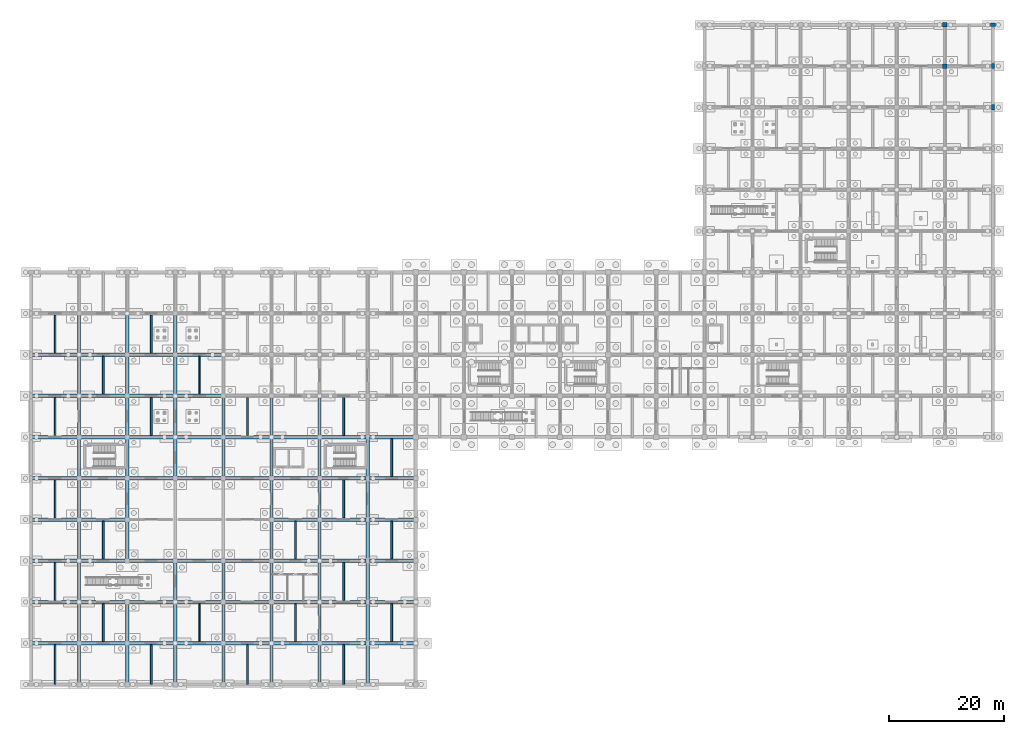
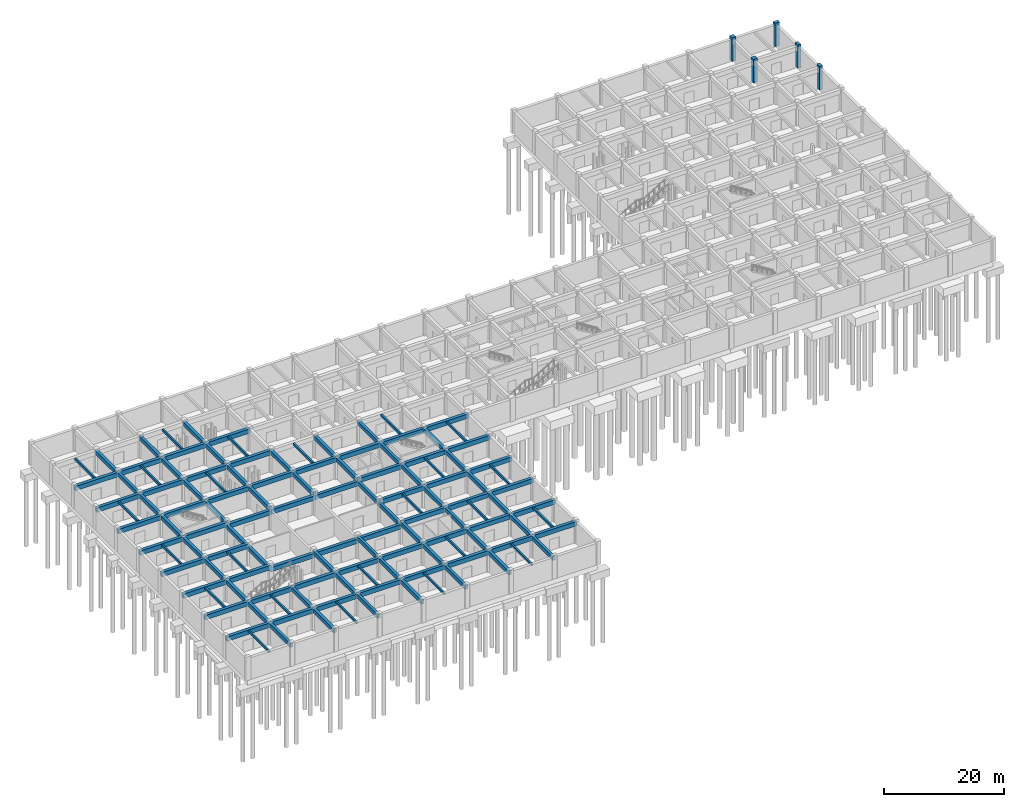
# One storey, part 17 of 38: 126 beams, 5 columns.
"""IFC4 building model written with IfcOpenShell, lengths in metres."""

from ifc_helpers import new_model, si_unit, derived_unit, direction, frame, origin, origin_2d, place, context, subcontext, project, spatial, rectangle, extrude, material, material_profile, profile_set, type_object, element, save


model = new_model("IFC4")

# Units and contexts
model_context = context("Model", 3, precision=1e-05, world=origin(), true_north=direction((0.0, 1.0)))
body_context = subcontext(model_context, "Body", "Model", "MODEL_VIEW")
ifc_project = project(units=[si_unit("LENGTHUNIT", "METRE"), si_unit("AREAUNIT", "SQUARE_METRE"), si_unit("VOLUMEUNIT", "CUBIC_METRE"), si_unit("PLANEANGLEUNIT", "RADIAN"), si_unit("MASSUNIT", "GRAM", prefix="KILO"), derived_unit("THERMALTRANSMITTANCEUNIT", [(si_unit("MASSUNIT", "GRAM", prefix="KILO"), 1), (si_unit("TIMEUNIT", "SECOND"), -3), (si_unit("THERMODYNAMICTEMPERATUREUNIT", "KELVIN"), -1)])], contexts=[model_context])

# Site, building, storey
site_placement = place(None, origin())
site = spatial("IfcSite", under=ifc_project, at=site_placement, CompositionType="ELEMENT")
building_placement = place(site_placement, origin())
building = spatial("IfcBuilding", under=site, at=building_placement, Name="Veldstrom Oceanarium and Marine Research Institute", CompositionType="ELEMENT")
storey_placement = place(building_placement, frame((0.0, 0.0, -9.60009765625)))
storey = spatial("IfcBuildingStorey", under=building, at=storey_placement, Name="B02", CompositionType="ELEMENT", Elevation=-9.60009765625)

# Columns
ifc_material_1 = material(Name="Concrete C50/60", Category="concrete")
ifc_material_profile_1 = material_profile(ifc_material_1, rectangle(XDim=0.800048828125, YDim=0.800048828125, at=origin_2d()), Name="RC-COL-800x800")
ifc_profile_set_1 = profile_set([ifc_material_profile_1], Name="Concrete C50/60")
column_type_1 = type_object("IfcColumnType", Name="STR-COL-C04", PredefinedType="COLUMN", material=ifc_profile_set_1)
for number, where, z_axis, x_axis, name in (
    (1, (159.60009765625, 108.0, 0.0), (0.0, 0.0, 1.0), (1.0, 0.0, 0.0), "Column C04 20/R B02"),
    (2, (159.60009765625, 115.199951171875, 0.0), (0.0, 0.0, 1.0), (1.0, 0.0, 0.0), "Column C04 20/S B02"),
):
    element("IfcColumn", number, at=place(storey_placement, frame(where, z_axis=z_axis, x_axis=x_axis)), inside=storey, type_object=column_type_1, Name=name, PredefinedType="COLUMN", context=body_context, shape_type="SweptSolid", body=[
        extrude(rectangle(XDim=0.800048828125, YDim=0.800048828125, at=origin_2d()), origin(), (0.0, 0.0, 1.0), 4.800048828125),
    ])
ifc_material_2 = material(Name="Concrete C50/60", Category="concrete")
ifc_material_profile_2 = material_profile(ifc_material_2, rectangle(XDim=0.60009765625, YDim=0.89990234375, at=origin_2d()), Name="RC-COL-900x600")
ifc_profile_set_2 = profile_set([ifc_material_profile_2], Name="Concrete C50/60")
column_type_2 = type_object("IfcColumnType", Name="STR-COL-C11", PredefinedType="COLUMN", material=ifc_profile_set_2)
for number, where, z_axis, x_axis, name in (
    (3, (168.0, 100.800048828125, 0.0), (0.0, 0.0, 1.0), (1.0, 0.0, 0.0), "Column C11 21/Q B02"),
    (4, (168.0, 108.0, 0.0), (0.0, 0.0, 1.0), (1.0, 0.0, 0.0), "Column C11 21/R B02"),
    (5, (168.0, 115.199951171875, 0.0), (0.0, 0.0, 1.0), (0.0, 1.0, 0.0), "Column C11 21/S B02"),
):
    element("IfcColumn", number, at=place(storey_placement, frame(where, z_axis=z_axis, x_axis=x_axis)), inside=storey, type_object=column_type_2, Name=name, PredefinedType="COLUMN", context=body_context, shape_type="SweptSolid", body=[
        extrude(rectangle(XDim=0.60009765625, YDim=0.89990234375, at=origin_2d()), origin(), (0.0, 0.0, 1.0), 4.800048828125),
    ])

# Beams
ifc_material_3 = material(Name="Concrete C40/50", Category="concrete")
ifc_material_profile_3 = material_profile(ifc_material_3, rectangle(XDim=0.60009765625, YDim=0.89990234375, at=origin_2d()), Name="RC-BM-600x900")
ifc_profile_set_3 = profile_set([ifc_material_profile_3], Name="Concrete C40/50")
beam_type_1 = type_object("IfcBeamType", Name="STR-BM-B01", PredefinedType="BEAM", material=ifc_profile_set_3)
for number, where, z_axis, x_axis, name in (
    (6, (0.0, 7.199951171875, 3.945068359375), (1.0, 0.0, 0.0), (0.0, 1.0, 0.0), "Primary Beam B01 B02-0001"),
    (7, (0.0, 14.39990234375, 3.945068359375), (1.0, 0.0, 0.0), (0.0, 1.0, 0.0), "Primary Beam B01 B02-0002"),
    (8, (0.0, 21.60009765625, 3.945068359375), (1.0, 0.0, 0.0), (0.0, 1.0, 0.0), "Primary Beam B01 B02-0003"),
    (9, (0.0, 28.800048828125, 3.945068359375), (1.0, 0.0, 0.0), (0.0, 1.0, 0.0), "Primary Beam B01 B02-0004"),
    (10, (0.0, 36.0, 3.945068359375), (1.0, 0.0, 0.0), (0.0, 1.0, 0.0), "Primary Beam B01 B02-0005"),
    (11, (0.0, 43.199951171875, 3.945068359375), (1.0, 0.0, 0.0), (0.0, 1.0, 0.0), "Primary Beam B01 B02-0006"),
    (12, (0.0, 50.39990234375, 3.945068359375), (1.0, 0.0, 0.0), (0.0, 1.0, 0.0), "Primary Beam B01 B02-0007"),
    (13, (0.0, 57.60009765625, 3.945068359375), (1.0, 0.0, 0.0), (0.0, 1.0, 0.0), "Primary Beam B01 B02-0008"),
):
    element("IfcBeam", number, at=place(storey_placement, frame(where, z_axis=z_axis, x_axis=x_axis)), inside=storey, type_object=beam_type_1, Name=name, PredefinedType="BEAM", context=body_context, shape_type="SweptSolid", body=[
        extrude(rectangle(XDim=0.60009765625, YDim=0.89990234375, at=origin_2d()), origin(), (0.0, 0.0, 1.0), 8.39990234375),
    ])
for number, where, z_axis, x_axis, name in (
    (14, (8.39990234375, 7.199951171875, 3.945068359375), (1.0, 0.0, 0.0), (0.0, 1.0, 0.0), "Primary Beam B01 B02-0010"),
    (15, (8.39990234375, 14.39990234375, 3.945068359375), (1.0, 0.0, 0.0), (0.0, 1.0, 0.0), "Primary Beam B01 B02-0011"),
    (16, (8.39990234375, 21.60009765625, 3.945068359375), (1.0, 0.0, 0.0), (0.0, 1.0, 0.0), "Primary Beam B01 B02-0012"),
    (17, (8.39990234375, 28.800048828125, 3.945068359375), (1.0, 0.0, 0.0), (0.0, 1.0, 0.0), "Primary Beam B01 B02-0013"),
    (18, (8.39990234375, 36.0, 3.945068359375), (1.0, 0.0, 0.0), (0.0, 1.0, 0.0), "Primary Beam B01 B02-0014"),
    (19, (8.39990234375, 43.199951171875, 3.945068359375), (1.0, 0.0, 0.0), (0.0, 1.0, 0.0), "Primary Beam B01 B02-0015"),
    (20, (8.39990234375, 50.39990234375, 3.945068359375), (1.0, 0.0, 0.0), (0.0, 1.0, 0.0), "Primary Beam B01 B02-0016"),
    (21, (8.39990234375, 57.60009765625, 3.945068359375), (1.0, 0.0, 0.0), (0.0, 1.0, 0.0), "Primary Beam B01 B02-0017"),
):
    element("IfcBeam", number, at=place(storey_placement, frame(where, z_axis=z_axis, x_axis=x_axis)), inside=storey, type_object=beam_type_1, Name=name, PredefinedType="BEAM", context=body_context, shape_type="SweptSolid", body=[
        extrude(rectangle(XDim=0.60009765625, YDim=0.89990234375, at=origin_2d()), origin(), (0.0, 0.0, 1.0), 8.400146484375),
    ])
for number, where, z_axis, x_axis, name in (
    (22, (16.800048828125, 7.199951171875, 3.945068359375), (1.0, 0.0, 0.0), (0.0, 1.0, 0.0), "Primary Beam B01 B02-0019"),
    (23, (16.800048828125, 14.39990234375, 3.945068359375), (1.0, 0.0, 0.0), (0.0, 1.0, 0.0), "Primary Beam B01 B02-0020"),
    (24, (16.800048828125, 21.60009765625, 3.445068359375), (1.0, 0.0, 0.0), (0.0, 1.0, 0.0), "Primary Beam B01 B02-0021"),
    (25, (16.800048828125, 36.0, 3.445068359375), (1.0, 0.0, 0.0), (0.0, 1.0, 0.0), "Primary Beam B01 B02-0022"),
    (26, (16.800048828125, 43.199951171875, 3.945068359375), (1.0, 0.0, 0.0), (0.0, 1.0, 0.0), "Primary Beam B01 B02-0023"),
    (27, (16.800048828125, 50.39990234375, 3.945068359375), (1.0, 0.0, 0.0), (0.0, 1.0, 0.0), "Primary Beam B01 B02-0024"),
    (28, (16.800048828125, 57.60009765625, 3.945068359375), (1.0, 0.0, 0.0), (0.0, 1.0, 0.0), "Primary Beam B01 B02-0025"),
):
    element("IfcBeam", number, at=place(storey_placement, frame(where, z_axis=z_axis, x_axis=x_axis)), inside=storey, type_object=beam_type_1, Name=name, PredefinedType="BEAM", context=body_context, shape_type="SweptSolid", body=[
        extrude(rectangle(XDim=0.60009765625, YDim=0.89990234375, at=origin_2d()), origin(), (0.0, 0.0, 1.0), 8.39990234375),
    ])
for number, where, z_axis, x_axis, name in (
    (29, (25.199951171875, 7.199951171875, 3.945068359375), (1.0, 0.0, 0.0), (0.0, 1.0, 0.0), "Primary Beam B01 B02-0027"),
    (30, (25.199951171875, 14.39990234375, 3.945068359375), (1.0, 0.0, 0.0), (0.0, 1.0, 0.0), "Primary Beam B01 B02-0028"),
    (31, (25.199951171875, 21.60009765625, 3.445068359375), (1.0, 0.0, 0.0), (0.0, 1.0, 0.0), "Primary Beam B01 B02-0029"),
    (32, (25.199951171875, 36.0, 3.445068359375), (1.0, 0.0, 0.0), (0.0, 1.0, 0.0), "Primary Beam B01 B02-0030"),
    (33, (25.199951171875, 43.199951171875, 3.945068359375), (1.0, 0.0, 0.0), (0.0, 1.0, 0.0), "Primary Beam B01 B02-0031"),
    (34, (25.199951171875, 50.39990234375, 3.945068359375), (1.0, 0.0, 0.0), (0.0, 1.0, 0.0), "Primary Beam B01 B02-0032"),
    (35, (25.199951171875, 57.60009765625, 3.945068359375), (1.0, 0.0, 0.0), (0.0, 1.0, 0.0), "Primary Beam B01 B02-0033"),
):
    element("IfcBeam", number, at=place(storey_placement, frame(where, z_axis=z_axis, x_axis=x_axis)), inside=storey, type_object=beam_type_1, Name=name, PredefinedType="BEAM", context=body_context, shape_type="SweptSolid", body=[
        extrude(rectangle(XDim=0.60009765625, YDim=0.89990234375, at=origin_2d()), origin(), (0.0, 0.0, 1.0), 8.400146484375),
    ])
for number, where, z_axis, x_axis, name in (
    (36, (33.60009765625, 7.199951171875, 3.945068359375), (1.0, 0.0, 0.0), (0.0, 1.0, 0.0), "Primary Beam B01 B02-0035"),
    (37, (33.60009765625, 14.39990234375, 3.945068359375), (1.0, 0.0, 0.0), (0.0, 1.0, 0.0), "Primary Beam B01 B02-0036"),
    (38, (33.60009765625, 21.60009765625, 3.445068359375), (1.0, 0.0, 0.0), (0.0, 1.0, 0.0), "Primary Beam B01 B02-0037"),
    (39, (33.60009765625, 36.0, 3.445068359375), (1.0, 0.0, 0.0), (0.0, 1.0, 0.0), "Primary Beam B01 B02-0038"),
    (40, (33.60009765625, 43.199951171875, 3.945068359375), (1.0, 0.0, 0.0), (0.0, 1.0, 0.0), "Primary Beam B01 B02-0039"),
    (41, (42.0, 7.199951171875, 3.945068359375), (1.0, 0.0, 0.0), (0.0, 1.0, 0.0), "Primary Beam B01 B02-0043"),
    (42, (42.0, 14.39990234375, 3.945068359375), (1.0, 0.0, 0.0), (0.0, 1.0, 0.0), "Primary Beam B01 B02-0044"),
    (43, (42.0, 21.60009765625, 3.945068359375), (1.0, 0.0, 0.0), (0.0, 1.0, 0.0), "Primary Beam B01 B02-0045"),
    (44, (42.0, 28.800048828125, 3.945068359375), (1.0, 0.0, 0.0), (0.0, 1.0, 0.0), "Primary Beam B01 B02-0046"),
    (45, (42.0, 36.0, 3.945068359375), (1.0, 0.0, 0.0), (0.0, 1.0, 0.0), "Primary Beam B01 B02-0047"),
    (46, (42.0, 43.199951171875, 3.945068359375), (1.0, 0.0, 0.0), (0.0, 1.0, 0.0), "Primary Beam B01 B02-0048"),
):
    element("IfcBeam", number, at=place(storey_placement, frame(where, z_axis=z_axis, x_axis=x_axis)), inside=storey, type_object=beam_type_1, Name=name, PredefinedType="BEAM", context=body_context, shape_type="SweptSolid", body=[
        extrude(rectangle(XDim=0.60009765625, YDim=0.89990234375, at=origin_2d()), origin(), (0.0, 0.0, 1.0), 8.39990234375),
    ])
for number, where, z_axis, x_axis, name in (
    (47, (50.39990234375, 7.199951171875, 3.945068359375), (1.0, 0.0, 0.0), (0.0, 1.0, 0.0), "Primary Beam B01 B02-0052"),
    (48, (50.39990234375, 14.39990234375, 3.945068359375), (1.0, 0.0, 0.0), (0.0, 1.0, 0.0), "Primary Beam B01 B02-0053"),
    (49, (50.39990234375, 21.60009765625, 3.945068359375), (1.0, 0.0, 0.0), (0.0, 1.0, 0.0), "Primary Beam B01 B02-0054"),
    (50, (50.39990234375, 28.800048828125, 3.945068359375), (1.0, 0.0, 0.0), (0.0, 1.0, 0.0), "Primary Beam B01 B02-0055"),
    (51, (50.39990234375, 36.0, 3.945068359375), (1.0, 0.0, 0.0), (0.0, 1.0, 0.0), "Primary Beam B01 B02-0056"),
    (52, (50.39990234375, 43.199951171875, 3.945068359375), (1.0, 0.0, 0.0), (0.0, 1.0, 0.0), "Primary Beam B01 B02-0057"),
):
    element("IfcBeam", number, at=place(storey_placement, frame(where, z_axis=z_axis, x_axis=x_axis)), inside=storey, type_object=beam_type_1, Name=name, PredefinedType="BEAM", context=body_context, shape_type="SweptSolid", body=[
        extrude(rectangle(XDim=0.60009765625, YDim=0.89990234375, at=origin_2d()), origin(), (0.0, 0.0, 1.0), 8.400146484375),
    ])
for number, where, z_axis, x_axis, name in (
    (53, (58.800048828125, 7.199951171875, 3.945068359375), (1.0, 0.0, 0.0), (0.0, 1.0, 0.0), "Primary Beam B01 B02-0061"),
    (54, (58.800048828125, 14.39990234375, 3.945068359375), (1.0, 0.0, 0.0), (0.0, 1.0, 0.0), "Primary Beam B01 B02-0062"),
    (55, (58.800048828125, 21.60009765625, 3.945068359375), (1.0, 0.0, 0.0), (0.0, 1.0, 0.0), "Primary Beam B01 B02-0063"),
    (56, (58.800048828125, 28.800048828125, 3.945068359375), (1.0, 0.0, 0.0), (0.0, 1.0, 0.0), "Primary Beam B01 B02-0064"),
    (57, (58.800048828125, 36.0, 3.945068359375), (1.0, 0.0, 0.0), (0.0, 1.0, 0.0), "Primary Beam B01 B02-0065"),
    (58, (58.800048828125, 43.199951171875, 3.945068359375), (1.0, 0.0, 0.0), (0.0, 1.0, 0.0), "Primary Beam B01 B02-0066"),
):
    element("IfcBeam", number, at=place(storey_placement, frame(where, z_axis=z_axis, x_axis=x_axis)), inside=storey, type_object=beam_type_1, Name=name, PredefinedType="BEAM", context=body_context, shape_type="SweptSolid", body=[
        extrude(rectangle(XDim=0.60009765625, YDim=0.89990234375, at=origin_2d()), origin(), (0.0, 0.0, 1.0), 8.39990234375),
    ])
ifc_material_4 = material(Name="Concrete C40/50", Category="concrete")
ifc_material_profile_4 = material_profile(ifc_material_4, rectangle(XDim=0.550048828125, YDim=0.800048828125, at=origin_2d()), Name="RC-BM-550x800")
ifc_profile_set_4 = profile_set([ifc_material_profile_4], Name="Concrete C40/50")
beam_type_2 = type_object("IfcBeamType", Name="STR-BM-B02", PredefinedType="BEAM", material=ifc_profile_set_4)
for number, where, z_axis, x_axis, name in (
    (59, (8.39990234375, 0.0, 3.9951171875), (0.0, 1.0, 0.0), (-1.0, 0.0, 0.0), "Primary Beam B02 B02-0142"),
    (60, (8.39990234375, 7.199951171875, 3.9951171875), (0.0, 1.0, 0.0), (-1.0, 0.0, 0.0), "Primary Beam B02 B02-0143"),
):
    element("IfcBeam", number, at=place(storey_placement, frame(where, z_axis=z_axis, x_axis=x_axis)), inside=storey, type_object=beam_type_2, Name=name, PredefinedType="BEAM", context=body_context, shape_type="SweptSolid", body=[
        extrude(rectangle(XDim=0.550048828125, YDim=0.800048828125, at=origin_2d()), origin(), (0.0, 0.0, 1.0), 7.199951171875),
    ])
beam_1_placement = place(storey_placement, frame((8.39990234375, 14.39990234375, 3.9951171875), z_axis=(0.0, 1.0, 0.0), x_axis=(-1.0, 0.0, 0.0)))
element("IfcBeam", 61, at=beam_1_placement, inside=storey, type_object=beam_type_2, Name="Primary Beam B02 B02-0144", PredefinedType="BEAM", context=body_context, shape_type="SweptSolid", body=[
    extrude(rectangle(XDim=0.550048828125, YDim=0.800048828125, at=origin_2d()), origin(), (0.0, 0.0, 1.0), 7.2001953125),
])
for number, where, z_axis, x_axis, name in (
    (62, (8.39990234375, 21.60009765625, 3.9951171875), (0.0, 1.0, 0.0), (-1.0, 0.0, 0.0), "Primary Beam B02 B02-0145"),
    (63, (8.39990234375, 28.800048828125, 3.9951171875), (0.0, 1.0, 0.0), (-1.0, 0.0, 0.0), "Primary Beam B02 B02-0146"),
    (64, (8.39990234375, 36.0, 3.9951171875), (0.0, 1.0, 0.0), (-1.0, 0.0, 0.0), "Primary Beam B02 B02-0147"),
    (65, (8.39990234375, 43.199951171875, 3.9951171875), (0.0, 1.0, 0.0), (-1.0, 0.0, 0.0), "Primary Beam B02 B02-0148"),
):
    element("IfcBeam", number, at=place(storey_placement, frame(where, z_axis=z_axis, x_axis=x_axis)), inside=storey, type_object=beam_type_2, Name=name, PredefinedType="BEAM", context=body_context, shape_type="SweptSolid", body=[
        extrude(rectangle(XDim=0.550048828125, YDim=0.800048828125, at=origin_2d()), origin(), (0.0, 0.0, 1.0), 7.199951171875),
    ])
beam_2_placement = place(storey_placement, frame((8.39990234375, 50.39990234375, 3.9951171875), z_axis=(0.0, 1.0, 0.0), x_axis=(-1.0, 0.0, 0.0)))
element("IfcBeam", 66, at=beam_2_placement, inside=storey, type_object=beam_type_2, Name="Primary Beam B02 B02-0149", PredefinedType="BEAM", context=body_context, shape_type="SweptSolid", body=[
    extrude(rectangle(XDim=0.550048828125, YDim=0.800048828125, at=origin_2d()), origin(), (0.0, 0.0, 1.0), 7.2001953125),
])
for number, where, z_axis, x_axis, name in (
    (67, (8.39990234375, 57.60009765625, 3.9951171875), (0.0, 1.0, 0.0), (-1.0, 0.0, 0.0), "Primary Beam B02 B02-0150"),
    (68, (16.800048828125, 0.0, 3.9951171875), (0.0, 1.0, 0.0), (-1.0, 0.0, 0.0), "Primary Beam B02 B02-0152"),
    (69, (16.800048828125, 7.199951171875, 3.9951171875), (0.0, 1.0, 0.0), (-1.0, 0.0, 0.0), "Primary Beam B02 B02-0153"),
    (70, (16.800048828125, 21.60009765625, 3.4951171875), (0.0, 1.0, 0.0), (-1.0, 0.0, 0.0), "Primary Beam B02 B02-0155"),
    (71, (16.800048828125, 28.800048828125, 3.4951171875), (0.0, 1.0, 0.0), (-1.0, 0.0, 0.0), "Primary Beam B02 B02-0156"),
    (72, (16.800048828125, 36.0, 3.9951171875), (0.0, 1.0, 0.0), (-1.0, 0.0, 0.0), "Primary Beam B02 B02-0157"),
    (73, (16.800048828125, 43.199951171875, 3.9951171875), (0.0, 1.0, 0.0), (-1.0, 0.0, 0.0), "Primary Beam B02 B02-0158"),
):
    element("IfcBeam", number, at=place(storey_placement, frame(where, z_axis=z_axis, x_axis=x_axis)), inside=storey, type_object=beam_type_2, Name=name, PredefinedType="BEAM", context=body_context, shape_type="SweptSolid", body=[
        extrude(rectangle(XDim=0.550048828125, YDim=0.800048828125, at=origin_2d()), origin(), (0.0, 0.0, 1.0), 7.199951171875),
    ])
beam_3_placement = place(storey_placement, frame((16.800048828125, 50.39990234375, 3.9951171875), z_axis=(0.0, 1.0, 0.0), x_axis=(-1.0, 0.0, 0.0)))
element("IfcBeam", 74, at=beam_3_placement, inside=storey, type_object=beam_type_2, Name="Primary Beam B02 B02-0159", PredefinedType="BEAM", context=body_context, shape_type="SweptSolid", body=[
    extrude(rectangle(XDim=0.550048828125, YDim=0.800048828125, at=origin_2d()), origin(), (0.0, 0.0, 1.0), 7.2001953125),
])
for number, where, z_axis, x_axis, name in (
    (75, (16.800048828125, 57.60009765625, 3.9951171875), (0.0, 1.0, 0.0), (-1.0, 0.0, 0.0), "Primary Beam B02 B02-0160"),
    (76, (25.199951171875, 0.0, 3.9951171875), (0.0, 1.0, 0.0), (-1.0, 0.0, 0.0), "Primary Beam B02 B02-0162"),
    (77, (25.199951171875, 7.199951171875, 3.9951171875), (0.0, 1.0, 0.0), (-1.0, 0.0, 0.0), "Primary Beam B02 B02-0163"),
):
    element("IfcBeam", number, at=place(storey_placement, frame(where, z_axis=z_axis, x_axis=x_axis)), inside=storey, type_object=beam_type_2, Name=name, PredefinedType="BEAM", context=body_context, shape_type="SweptSolid", body=[
        extrude(rectangle(XDim=0.550048828125, YDim=0.800048828125, at=origin_2d()), origin(), (0.0, 0.0, 1.0), 7.199951171875),
    ])
beam_4_placement = place(storey_placement, frame((25.199951171875, 14.39990234375, 3.9951171875), z_axis=(0.0, 1.0, 0.0), x_axis=(-1.0, 0.0, 0.0)))
element("IfcBeam", 78, at=beam_4_placement, inside=storey, type_object=beam_type_2, Name="Primary Beam B02 B02-0164", PredefinedType="BEAM", context=body_context, shape_type="SweptSolid", body=[
    extrude(rectangle(XDim=0.550048828125, YDim=0.800048828125, at=origin_2d()), origin(), (0.0, 0.0, 1.0), 7.2001953125),
])
for number, where, z_axis, x_axis, name in (
    (79, (25.199951171875, 36.0, 3.9951171875), (0.0, 1.0, 0.0), (-1.0, 0.0, 0.0), "Primary Beam B02 B02-0165"),
    (80, (25.199951171875, 43.199951171875, 3.9951171875), (0.0, 1.0, 0.0), (-1.0, 0.0, 0.0), "Primary Beam B02 B02-0166"),
):
    element("IfcBeam", number, at=place(storey_placement, frame(where, z_axis=z_axis, x_axis=x_axis)), inside=storey, type_object=beam_type_2, Name=name, PredefinedType="BEAM", context=body_context, shape_type="SweptSolid", body=[
        extrude(rectangle(XDim=0.550048828125, YDim=0.800048828125, at=origin_2d()), origin(), (0.0, 0.0, 1.0), 7.199951171875),
    ])
beam_5_placement = place(storey_placement, frame((25.199951171875, 50.39990234375, 3.9951171875), z_axis=(0.0, 1.0, 0.0), x_axis=(-1.0, 0.0, 0.0)))
element("IfcBeam", 81, at=beam_5_placement, inside=storey, type_object=beam_type_2, Name="Primary Beam B02 B02-0167", PredefinedType="BEAM", context=body_context, shape_type="SweptSolid", body=[
    extrude(rectangle(XDim=0.550048828125, YDim=0.800048828125, at=origin_2d()), origin(), (0.0, 0.0, 1.0), 7.2001953125),
])
for number, where, z_axis, x_axis, name in (
    (82, (25.199951171875, 57.60009765625, 3.9951171875), (0.0, 1.0, 0.0), (-1.0, 0.0, 0.0), "Primary Beam B02 B02-0168"),
    (83, (33.60009765625, 0.0, 3.9951171875), (0.0, 1.0, 0.0), (-1.0, 0.0, 0.0), "Primary Beam B02 B02-0170"),
    (84, (33.60009765625, 7.199951171875, 3.9951171875), (0.0, 1.0, 0.0), (-1.0, 0.0, 0.0), "Primary Beam B02 B02-0171"),
):
    element("IfcBeam", number, at=place(storey_placement, frame(where, z_axis=z_axis, x_axis=x_axis)), inside=storey, type_object=beam_type_2, Name=name, PredefinedType="BEAM", context=body_context, shape_type="SweptSolid", body=[
        extrude(rectangle(XDim=0.550048828125, YDim=0.800048828125, at=origin_2d()), origin(), (0.0, 0.0, 1.0), 7.199951171875),
    ])
beam_6_placement = place(storey_placement, frame((33.60009765625, 14.39990234375, 3.9951171875), z_axis=(0.0, 1.0, 0.0), x_axis=(-1.0, 0.0, 0.0)))
element("IfcBeam", 85, at=beam_6_placement, inside=storey, type_object=beam_type_2, Name="Primary Beam B02 B02-0172", PredefinedType="BEAM", context=body_context, shape_type="SweptSolid", body=[
    extrude(rectangle(XDim=0.550048828125, YDim=0.800048828125, at=origin_2d()), origin(), (0.0, 0.0, 1.0), 7.2001953125),
])
for number, where, z_axis, x_axis, name in (
    (86, (33.60009765625, 36.0, 3.9951171875), (0.0, 1.0, 0.0), (-1.0, 0.0, 0.0), "Primary Beam B02 B02-0173"),
    (87, (33.60009765625, 43.199951171875, 3.9951171875), (0.0, 1.0, 0.0), (-1.0, 0.0, 0.0), "Primary Beam B02 B02-0174"),
    (88, (42.0, 0.0, 3.9951171875), (0.0, 1.0, 0.0), (-1.0, 0.0, 0.0), "Primary Beam B02 B02-0178"),
    (89, (42.0, 7.199951171875, 3.9951171875), (0.0, 1.0, 0.0), (-1.0, 0.0, 0.0), "Primary Beam B02 B02-0179"),
):
    element("IfcBeam", number, at=place(storey_placement, frame(where, z_axis=z_axis, x_axis=x_axis)), inside=storey, type_object=beam_type_2, Name=name, PredefinedType="BEAM", context=body_context, shape_type="SweptSolid", body=[
        extrude(rectangle(XDim=0.550048828125, YDim=0.800048828125, at=origin_2d()), origin(), (0.0, 0.0, 1.0), 7.199951171875),
    ])
beam_7_placement = place(storey_placement, frame((42.0, 14.39990234375, 3.9951171875), z_axis=(0.0, 1.0, 0.0), x_axis=(-1.0, 0.0, 0.0)))
element("IfcBeam", 90, at=beam_7_placement, inside=storey, type_object=beam_type_2, Name="Primary Beam B02 B02-0180", PredefinedType="BEAM", context=body_context, shape_type="SweptSolid", body=[
    extrude(rectangle(XDim=0.550048828125, YDim=0.800048828125, at=origin_2d()), origin(), (0.0, 0.0, 1.0), 7.2001953125),
])
for number, where, z_axis, x_axis, name in (
    (91, (42.0, 21.60009765625, 3.4951171875), (0.0, 1.0, 0.0), (-1.0, 0.0, 0.0), "Primary Beam B02 B02-0181"),
    (92, (42.0, 28.800048828125, 3.4951171875), (0.0, 1.0, 0.0), (-1.0, 0.0, 0.0), "Primary Beam B02 B02-0182"),
    (93, (42.0, 36.0, 3.9951171875), (0.0, 1.0, 0.0), (-1.0, 0.0, 0.0), "Primary Beam B02 B02-0183"),
    (94, (42.0, 43.199951171875, 3.9951171875), (0.0, 1.0, 0.0), (-1.0, 0.0, 0.0), "Primary Beam B02 B02-0184"),
    (95, (50.39990234375, 0.0, 3.9951171875), (0.0, 1.0, 0.0), (-1.0, 0.0, 0.0), "Primary Beam B02 B02-0188"),
    (96, (50.39990234375, 7.199951171875, 3.9951171875), (0.0, 1.0, 0.0), (-1.0, 0.0, 0.0), "Primary Beam B02 B02-0189"),
):
    element("IfcBeam", number, at=place(storey_placement, frame(where, z_axis=z_axis, x_axis=x_axis)), inside=storey, type_object=beam_type_2, Name=name, PredefinedType="BEAM", context=body_context, shape_type="SweptSolid", body=[
        extrude(rectangle(XDim=0.550048828125, YDim=0.800048828125, at=origin_2d()), origin(), (0.0, 0.0, 1.0), 7.199951171875),
    ])
beam_8_placement = place(storey_placement, frame((50.39990234375, 14.39990234375, 3.9951171875), z_axis=(0.0, 1.0, 0.0), x_axis=(-1.0, 0.0, 0.0)))
element("IfcBeam", 97, at=beam_8_placement, inside=storey, type_object=beam_type_2, Name="Primary Beam B02 B02-0190", PredefinedType="BEAM", context=body_context, shape_type="SweptSolid", body=[
    extrude(rectangle(XDim=0.550048828125, YDim=0.800048828125, at=origin_2d()), origin(), (0.0, 0.0, 1.0), 7.2001953125),
])
for number, where, z_axis, x_axis, name in (
    (98, (50.39990234375, 21.60009765625, 3.9951171875), (0.0, 1.0, 0.0), (-1.0, 0.0, 0.0), "Primary Beam B02 B02-0191"),
    (99, (50.39990234375, 28.800048828125, 3.9951171875), (0.0, 1.0, 0.0), (-1.0, 0.0, 0.0), "Primary Beam B02 B02-0192"),
    (100, (50.39990234375, 36.0, 3.9951171875), (0.0, 1.0, 0.0), (-1.0, 0.0, 0.0), "Primary Beam B02 B02-0193"),
    (101, (50.39990234375, 43.199951171875, 3.9951171875), (0.0, 1.0, 0.0), (-1.0, 0.0, 0.0), "Primary Beam B02 B02-0194"),
    (102, (58.800048828125, 0.0, 3.9951171875), (0.0, 1.0, 0.0), (-1.0, 0.0, 0.0), "Primary Beam B02 B02-0198"),
    (103, (58.800048828125, 7.199951171875, 3.9951171875), (0.0, 1.0, 0.0), (-1.0, 0.0, 0.0), "Primary Beam B02 B02-0199"),
):
    element("IfcBeam", number, at=place(storey_placement, frame(where, z_axis=z_axis, x_axis=x_axis)), inside=storey, type_object=beam_type_2, Name=name, PredefinedType="BEAM", context=body_context, shape_type="SweptSolid", body=[
        extrude(rectangle(XDim=0.550048828125, YDim=0.800048828125, at=origin_2d()), origin(), (0.0, 0.0, 1.0), 7.199951171875),
    ])
beam_9_placement = place(storey_placement, frame((58.800048828125, 14.39990234375, 3.9951171875), z_axis=(0.0, 1.0, 0.0), x_axis=(-1.0, 0.0, 0.0)))
element("IfcBeam", 104, at=beam_9_placement, inside=storey, type_object=beam_type_2, Name="Primary Beam B02 B02-0200", PredefinedType="BEAM", context=body_context, shape_type="SweptSolid", body=[
    extrude(rectangle(XDim=0.550048828125, YDim=0.800048828125, at=origin_2d()), origin(), (0.0, 0.0, 1.0), 7.2001953125),
])
for number, where, z_axis, x_axis, name in (
    (105, (58.800048828125, 21.60009765625, 3.9951171875), (0.0, 1.0, 0.0), (-1.0, 0.0, 0.0), "Primary Beam B02 B02-0201"),
    (106, (58.800048828125, 28.800048828125, 3.9951171875), (0.0, 1.0, 0.0), (-1.0, 0.0, 0.0), "Primary Beam B02 B02-0202"),
    (107, (58.800048828125, 36.0, 3.9951171875), (0.0, 1.0, 0.0), (-1.0, 0.0, 0.0), "Primary Beam B02 B02-0203"),
):
    element("IfcBeam", number, at=place(storey_placement, frame(where, z_axis=z_axis, x_axis=x_axis)), inside=storey, type_object=beam_type_2, Name=name, PredefinedType="BEAM", context=body_context, shape_type="SweptSolid", body=[
        extrude(rectangle(XDim=0.550048828125, YDim=0.800048828125, at=origin_2d()), origin(), (0.0, 0.0, 1.0), 7.199951171875),
    ])
ifc_material_5 = material(Name="Concrete C40/50", Category="concrete")
ifc_material_profile_5 = material_profile(ifc_material_5, rectangle(XDim=0.300048828125, YDim=0.449951171875, at=origin_2d()), Name="RC-JST-300x450")
ifc_profile_set_5 = profile_set([ifc_material_profile_5], Name="Concrete C40/50")
beam_type_3 = type_object("IfcBeamType", Name="STR-JST-J01", PredefinedType="JOIST", material=ifc_profile_set_5)
beam_10_placement = place(storey_placement, frame((4.199951171875, 0.0, 4.170166015625), z_axis=(0.0, 1.0, 0.0), x_axis=(-1.0, 0.0, 0.0)))
element("IfcBeam", 108, at=beam_10_placement, inside=storey, type_object=beam_type_3, Name="Secondary Joist J01 B02-0286", PredefinedType="JOIST", context=body_context, shape_type="SweptSolid", body=[
    extrude(rectangle(XDim=0.300048828125, YDim=0.449951171875, at=origin_2d()), origin(), (0.0, 0.0, 1.0), 6.89990234375),
])
beam_11_placement = place(storey_placement, frame((4.199951171875, 14.699951171875, 4.170166015625), z_axis=(0.0, 1.0, 0.0), x_axis=(-1.0, 0.0, 0.0)))
element("IfcBeam", 109, at=beam_11_placement, inside=storey, type_object=beam_type_3, Name="Secondary Joist J01 B02-0287", PredefinedType="JOIST", context=body_context, shape_type="SweptSolid", body=[
    extrude(rectangle(XDim=0.300048828125, YDim=0.449951171875, at=origin_2d()), origin(), (0.0, 0.0, 1.0), 6.60009765625),
])
beam_12_placement = place(storey_placement, frame((4.199951171875, 29.10009765625, 4.170166015625), z_axis=(0.0, 1.0, 0.0), x_axis=(-1.0, 0.0, 0.0)))
element("IfcBeam", 110, at=beam_12_placement, inside=storey, type_object=beam_type_3, Name="Secondary Joist J01 B02-0288", PredefinedType="JOIST", context=body_context, shape_type="SweptSolid", body=[
    extrude(rectangle(XDim=0.300048828125, YDim=0.449951171875, at=origin_2d()), origin(), (0.0, 0.0, 1.0), 6.599853515625),
])
for number, where, z_axis, x_axis, name in (
    (111, (4.199951171875, 43.5, 4.170166015625), (0.0, 1.0, 0.0), (-1.0, 0.0, 0.0), "Secondary Joist J01 B02-0289"),
    (112, (4.199951171875, 57.89990234375, 4.170166015625), (0.0, 1.0, 0.0), (-1.0, 0.0, 0.0), "Secondary Joist J01 B02-0290"),
    (113, (12.60009765625, 7.5, 4.170166015625), (0.0, 1.0, 0.0), (-1.0, 0.0, 0.0), "Secondary Joist J01 B02-0291"),
    (114, (12.60009765625, 21.89990234375, 4.170166015625), (0.0, 1.0, 0.0), (-1.0, 0.0, 0.0), "Secondary Joist J01 B02-0292"),
    (115, (12.60009765625, 50.699951171875, 4.170166015625), (0.0, 1.0, 0.0), (-1.0, 0.0, 0.0), "Secondary Joist J01 B02-0293"),
):
    element("IfcBeam", number, at=place(storey_placement, frame(where, z_axis=z_axis, x_axis=x_axis)), inside=storey, type_object=beam_type_3, Name=name, PredefinedType="JOIST", context=body_context, shape_type="SweptSolid", body=[
        extrude(rectangle(XDim=0.300048828125, YDim=0.449951171875, at=origin_2d()), origin(), (0.0, 0.0, 1.0), 6.60009765625),
    ])
beam_13_placement = place(storey_placement, frame((21.0, 0.0, 4.170166015625), z_axis=(0.0, 1.0, 0.0), x_axis=(-1.0, 0.0, 0.0)))
element("IfcBeam", 116, at=beam_13_placement, inside=storey, type_object=beam_type_3, Name="Secondary Joist J01 B02-0295", PredefinedType="JOIST", context=body_context, shape_type="SweptSolid", body=[
    extrude(rectangle(XDim=0.300048828125, YDim=0.449951171875, at=origin_2d()), origin(), (0.0, 0.0, 1.0), 6.89990234375),
])
for number, where, z_axis, x_axis, name in (
    (117, (21.0, 43.5, 4.170166015625), (0.0, 1.0, 0.0), (-1.0, 0.0, 0.0), "Secondary Joist J01 B02-0298"),
    (118, (21.0, 57.89990234375, 4.170166015625), (0.0, 1.0, 0.0), (-1.0, 0.0, 0.0), "Secondary Joist J01 B02-0299"),
    (119, (29.39990234375, 7.5, 4.170166015625), (0.0, 1.0, 0.0), (-1.0, 0.0, 0.0), "Secondary Joist J01 B02-0300"),
    (120, (29.39990234375, 50.699951171875, 4.170166015625), (0.0, 1.0, 0.0), (-1.0, 0.0, 0.0), "Secondary Joist J01 B02-0303"),
):
    element("IfcBeam", number, at=place(storey_placement, frame(where, z_axis=z_axis, x_axis=x_axis)), inside=storey, type_object=beam_type_3, Name=name, PredefinedType="JOIST", context=body_context, shape_type="SweptSolid", body=[
        extrude(rectangle(XDim=0.300048828125, YDim=0.449951171875, at=origin_2d()), origin(), (0.0, 0.0, 1.0), 6.60009765625),
    ])
beam_14_placement = place(storey_placement, frame((37.800048828125, 0.0, 4.170166015625), z_axis=(0.0, 1.0, 0.0), x_axis=(-1.0, 0.0, 0.0)))
element("IfcBeam", 121, at=beam_14_placement, inside=storey, type_object=beam_type_3, Name="Secondary Joist J01 B02-0305", PredefinedType="JOIST", context=body_context, shape_type="SweptSolid", body=[
    extrude(rectangle(XDim=0.300048828125, YDim=0.449951171875, at=origin_2d()), origin(), (0.0, 0.0, 1.0), 6.89990234375),
])
for number, where, z_axis, x_axis, name in (
    (122, (37.800048828125, 43.5, 4.170166015625), (0.0, 1.0, 0.0), (-1.0, 0.0, 0.0), "Secondary Joist J01 B02-0308"),
    (123, (46.199951171875, 7.5, 4.170166015625), (0.0, 1.0, 0.0), (-1.0, 0.0, 0.0), "Secondary Joist J01 B02-0310"),
    (124, (46.199951171875, 21.89990234375, 4.170166015625), (0.0, 1.0, 0.0), (-1.0, 0.0, 0.0), "Secondary Joist J01 B02-0311"),
):
    element("IfcBeam", number, at=place(storey_placement, frame(where, z_axis=z_axis, x_axis=x_axis)), inside=storey, type_object=beam_type_3, Name=name, PredefinedType="JOIST", context=body_context, shape_type="SweptSolid", body=[
        extrude(rectangle(XDim=0.300048828125, YDim=0.449951171875, at=origin_2d()), origin(), (0.0, 0.0, 1.0), 6.60009765625),
    ])
beam_15_placement = place(storey_placement, frame((54.60009765625, 0.0, 4.170166015625), z_axis=(0.0, 1.0, 0.0), x_axis=(-1.0, 0.0, 0.0)))
element("IfcBeam", 125, at=beam_15_placement, inside=storey, type_object=beam_type_3, Name="Secondary Joist J01 B02-0314", PredefinedType="JOIST", context=body_context, shape_type="SweptSolid", body=[
    extrude(rectangle(XDim=0.300048828125, YDim=0.449951171875, at=origin_2d()), origin(), (0.0, 0.0, 1.0), 6.89990234375),
])
beam_16_placement = place(storey_placement, frame((54.60009765625, 14.699951171875, 4.170166015625), z_axis=(0.0, 1.0, 0.0), x_axis=(-1.0, 0.0, 0.0)))
element("IfcBeam", 126, at=beam_16_placement, inside=storey, type_object=beam_type_3, Name="Secondary Joist J01 B02-0315", PredefinedType="JOIST", context=body_context, shape_type="SweptSolid", body=[
    extrude(rectangle(XDim=0.300048828125, YDim=0.449951171875, at=origin_2d()), origin(), (0.0, 0.0, 1.0), 6.60009765625),
])
beam_17_placement = place(storey_placement, frame((54.60009765625, 29.10009765625, 4.170166015625), z_axis=(0.0, 1.0, 0.0), x_axis=(-1.0, 0.0, 0.0)))
element("IfcBeam", 127, at=beam_17_placement, inside=storey, type_object=beam_type_3, Name="Secondary Joist J01 B02-0316", PredefinedType="JOIST", context=body_context, shape_type="SweptSolid", body=[
    extrude(rectangle(XDim=0.300048828125, YDim=0.449951171875, at=origin_2d()), origin(), (0.0, 0.0, 1.0), 6.599853515625),
])
for number, where, z_axis, x_axis, name in (
    (128, (54.60009765625, 43.5, 4.170166015625), (0.0, 1.0, 0.0), (-1.0, 0.0, 0.0), "Secondary Joist J01 B02-0317"),
    (129, (63.0, 7.5, 4.170166015625), (0.0, 1.0, 0.0), (-1.0, 0.0, 0.0), "Secondary Joist J01 B02-0319"),
    (130, (63.0, 21.89990234375, 4.170166015625), (0.0, 1.0, 0.0), (-1.0, 0.0, 0.0), "Secondary Joist J01 B02-0320"),
):
    element("IfcBeam", number, at=place(storey_placement, frame(where, z_axis=z_axis, x_axis=x_axis)), inside=storey, type_object=beam_type_3, Name=name, PredefinedType="JOIST", context=body_context, shape_type="SweptSolid", body=[
        extrude(rectangle(XDim=0.300048828125, YDim=0.449951171875, at=origin_2d()), origin(), (0.0, 0.0, 1.0), 6.60009765625),
    ])
beam_18_placement = place(storey_placement, frame((63.0, 36.300048828125, 4.170166015625), z_axis=(0.0, 1.0, 0.0), x_axis=(-1.0, 0.0, 0.0)))
element("IfcBeam", 131, at=beam_18_placement, inside=storey, type_object=beam_type_3, Name="Secondary Joist J01 B02-0321", PredefinedType="JOIST", context=body_context, shape_type="SweptSolid", body=[
    extrude(rectangle(XDim=0.300048828125, YDim=0.449951171875, at=origin_2d()), origin(), (0.0, 0.0, 1.0), 6.599853515625),
])

save(model, "model.ifc")
